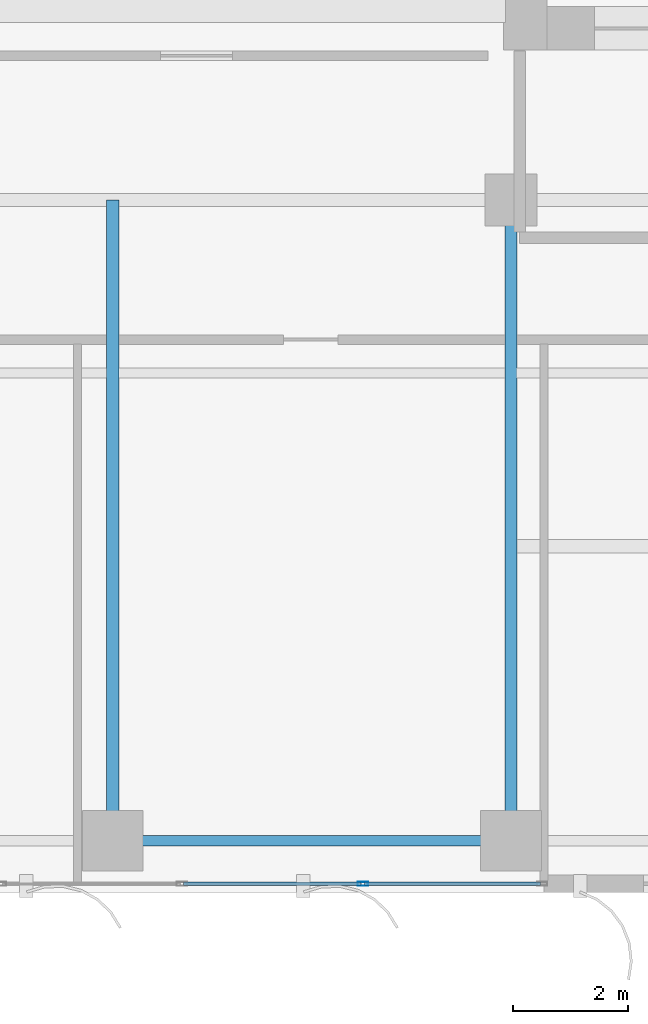
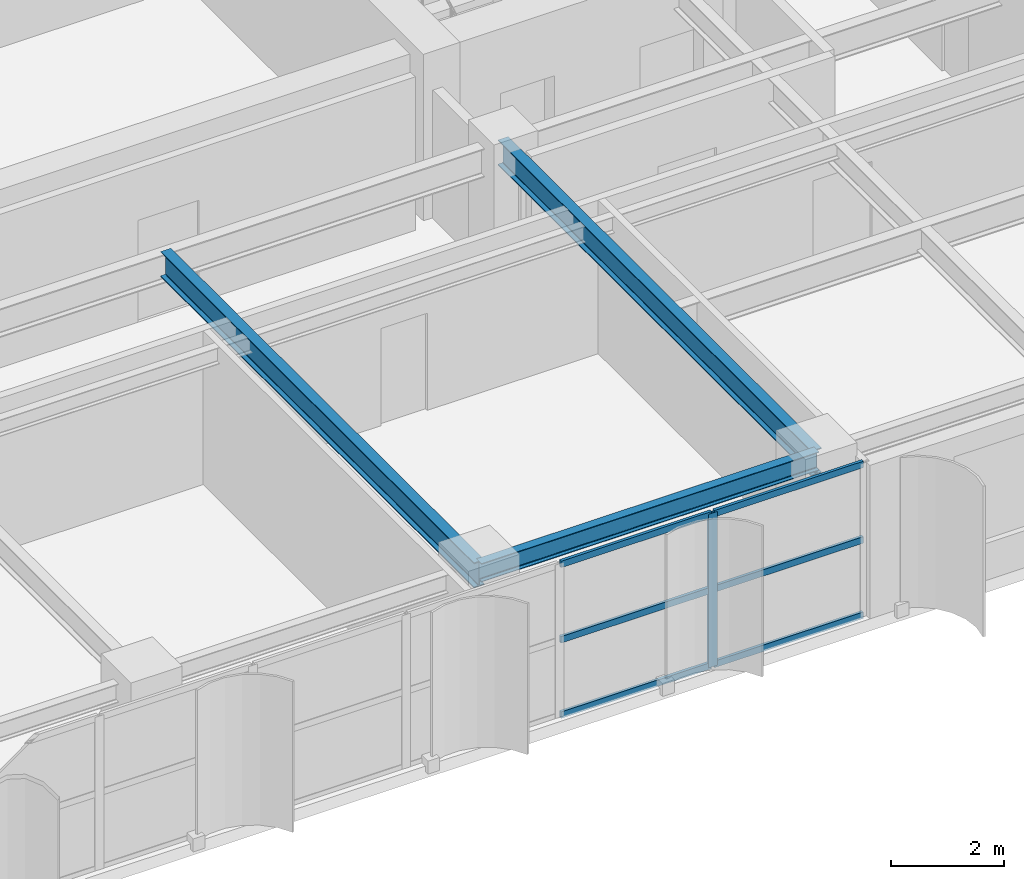
# One storey, part 5 of 22: 7 members, 3 beams, 1 element without a shape of its own.
"""IFC4 building model written with IfcOpenShell, lengths in metres."""

from ifc_helpers import new_model, si_unit, direction, frame, origin, origin_2d, place, context, subcontext, project, spatial, hollow_rectangle, i_section, extrude, source, transform, mapped, material, layer, layer_set, material_profile, profile_set, type_object, element, aggregate, save


model = new_model("IFC4")

# Units and contexts
model_context = context("Model", 3, precision=1e-05, world=origin(), true_north=direction((0.0, 1.0)))
body_context = subcontext(model_context, "Body", "Model", "MODEL_VIEW")
ifc_project = project(units=[si_unit("LENGTHUNIT", "METRE"), si_unit("AREAUNIT", "SQUARE_METRE"), si_unit("VOLUMEUNIT", "CUBIC_METRE"), si_unit("PLANEANGLEUNIT", "RADIAN"), si_unit("MASSUNIT", "GRAM", prefix="KILO")], contexts=[model_context])

# Site, building, storey
site_placement = place(None, origin())
site = spatial("IfcSite", under=ifc_project, at=site_placement, CompositionType="ELEMENT")
building_placement = place(site_placement, origin())
building = spatial("IfcBuilding", under=site, at=building_placement, Name="Khoralis Quay Care Tower", CompositionType="ELEMENT")
storey_placement = place(building_placement, frame((0.0, 0.0, 141.300048828125)))
storey = spatial("IfcBuildingStorey", under=building, at=storey_placement, Name="L37", CompositionType="ELEMENT", Elevation=141.300048828125)

# Beams
ifc_material_1 = material(Name="Steel S355", Category="steel")
ifc_material_profile_1 = material_profile(ifc_material_1, i_section(OverallWidth=0.179931640625, OverallDepth=0.39990234375, WebThickness=0.008544921875, FlangeThickness=0.013427734375, FilletRadius=0.02099609375, at=origin_2d()), Name="Steel S355")
ifc_profile_set_1 = profile_set([ifc_material_profile_1], Name="Steel S355")
beam_type_1 = type_object("IfcBeamType", Name="BM-IPE400", PredefinedType="SPANDREL", material=ifc_profile_set_1)
shared_shape_1 = source(origin(), body_context, "Body", "SweptSolid", [
    extrude(i_section(OverallWidth=0.179931640625, OverallDepth=0.39990234375, WebThickness=0.008544921875, FlangeThickness=0.013427734375, FilletRadius=0.02099609375, at=origin_2d()), origin(), (0.0, 0.0, 1.0), 6.89990234375),
])
beam_placement = place(storey_placement, frame((24.0, 0.89990234375, 3.119873046875), z_axis=(1.0, 0.0, 0.0), x_axis=(0.0, 1.0, 0.0)))
element("IfcBeam", 1, at=beam_placement, inside=storey, type_object=beam_type_1, Name="BM-TSP-L37-04", PredefinedType="SPANDREL", context=body_context, shape_type="MappedRepresentation", body=[
    mapped(shared_shape_1, transform((0.0, 0.0, 0.0), scale=1.0)),
])
ifc_material_profile_2 = material_profile(ifc_material_1, i_section(OverallWidth=0.2119140625, OverallDepth=0.5439453125, WebThickness=0.01318359375, FlangeThickness=0.021240234375, FilletRadius=0.01611328125, at=origin_2d()), Name="Steel S355")
ifc_profile_set_2 = profile_set([ifc_material_profile_2], Name="Steel S355")
beam_type_2 = type_object("IfcBeamType", Name="BM-W530X123", PredefinedType="BEAM", material=ifc_profile_set_2)
shared_shape_2 = source(origin(), body_context, "Body", "SweptSolid", [
    extrude(i_section(OverallWidth=0.2119140625, OverallDepth=0.5439453125, WebThickness=0.01318359375, FlangeThickness=0.021240234375, FilletRadius=0.01611328125, at=origin_2d()), origin(), (0.0, 0.0, 1.0), 11.10009765625),
])
for number, where, z_axis, x_axis, name in (
    (2, (24.0, 0.89990234375, 3.0478515625), (0.0, 1.0, 0.0), (-1.0, 0.0, 0.0), "BM-TGYS-L37-240"),
    (3, (30.89990234375, 0.89990234375, 3.0478515625), (0.0, 1.0, 0.0), (-1.0, 0.0, 0.0), "BM-TGYS-L37-309"),
):
    element("IfcBeam", number, at=place(storey_placement, frame(where, z_axis=z_axis, x_axis=x_axis)), inside=storey, type_object=beam_type_2, Name=name, PredefinedType="BEAM", context=body_context, shape_type="MappedRepresentation", body=[
        mapped(shared_shape_2, transform((0.0, 0.0, 0.0), scale=1.0)),
    ])

# Curtain wall, members
ifc_material_2 = material(Name="Pale anodised aluminium", Category="aluminium")
ifc_layer = layer(ifc_material_2, 0.169921875)
ifc_layer_set = layer_set([ifc_layer], Name="Pale anodised aluminium")
curtain_wall_type = type_object("IfcCurtainWallType", Name="CW-SYS-Z2", PredefinedType="NOTDEFINED", material=ifc_layer_set)
curtain_wall_placement = place(storey_placement, origin())
curtain_wall = element("IfcCurtainWall", 4, at=curtain_wall_placement, inside=storey, type_object=curtain_wall_type, Name="L37 Unitised Curtain Wall CW-L37-P1-E0", PredefinedType="NOTDEFINED")
ifc_material_profile_3 = material_profile(ifc_material_2, hollow_rectangle(XDim=0.06494140625, YDim=0.179931640625, WallThickness=0.00390625, at=origin_2d()), Name="Pale anodised aluminium")
ifc_profile_set_3 = profile_set([ifc_material_profile_3], Name="Pale anodised aluminium")
member_type_1 = type_object("IfcMemberType", Name="CW-MUL-180", PredefinedType="MULLION", material=ifc_profile_set_3)
shared_shape_3 = source(origin(), body_context, "Body", "SweptSolid", [
    extrude(hollow_rectangle(XDim=0.06494140625, YDim=0.179931640625, WallThickness=0.00390625, at=origin_2d()), origin(), (0.0, 0.0, 1.0), 3.320068359375),
])
member_1_placement = place(storey_placement, frame((28.333251953125, 0.14990234375, 0.0), z_axis=(0.0, 0.0, 1.0), x_axis=(0.0, 1.0, 0.0)))
member_1 = element("IfcMember", 5, at=member_1_placement, type_object=member_type_1, Name="CW2 mullion 6", PredefinedType="MULLION", context=body_context, shape_type="MappedRepresentation", body=[
    mapped(shared_shape_3, transform((0.0, 0.0, 0.0), scale=1.0)),
])
ifc_material_profile_4 = material_profile(ifc_material_2, hollow_rectangle(XDim=0.06005859375, YDim=0.139892578125, WallThickness=0.00390625, at=origin_2d()), Name="Pale anodised aluminium")
ifc_profile_set_4 = profile_set([ifc_material_profile_4], Name="Pale anodised aluminium")
member_type_2 = type_object("IfcMemberType", Name="CW-TRN-140", PredefinedType="USERDEFINED", material=ifc_profile_set_4)
shared_shape_4 = source(origin(), body_context, "Body", "SweptSolid", [
    extrude(hollow_rectangle(XDim=0.06005859375, YDim=0.139892578125, WallThickness=0.00390625, at=origin_2d()), origin(), (0.0, 0.0, 1.0), 3.046630859375),
])
member_2_placement = place(storey_placement, frame((28.36328125, 0.14990234375, 0.030029296875), z_axis=(1.0, 0.0, 0.0), x_axis=(0.0, 1.0, 0.0)))
member_2 = element("IfcMember", 6, at=member_2_placement, type_object=member_type_2, Name="CW2 transom 6.1", ObjectType="TRANSOM", PredefinedType="USERDEFINED", context=body_context, shape_type="MappedRepresentation", body=[
    mapped(shared_shape_4, transform((0.0, 0.0, 0.0), scale=1.0)),
])
member_3_placement = place(storey_placement, frame((28.36328125, 0.14990234375, 1.659912109375), z_axis=(1.0, 0.0, 0.0), x_axis=(0.0, 1.0, 0.0)))
member_3 = element("IfcMember", 7, at=member_3_placement, type_object=member_type_2, Name="CW2 transom 6.2", ObjectType="TRANSOM", PredefinedType="USERDEFINED", context=body_context, shape_type="MappedRepresentation", body=[
    mapped(shared_shape_4, transform((0.0, 0.0, 0.0), scale=1.0)),
])
member_4_placement = place(storey_placement, frame((28.36328125, 0.14990234375, 3.2900390625), z_axis=(1.0, 0.0, 0.0), x_axis=(0.0, 1.0, 0.0)))
member_4 = element("IfcMember", 8, at=member_4_placement, type_object=member_type_2, Name="CW2 transom 6.3", ObjectType="TRANSOM", PredefinedType="USERDEFINED", context=body_context, shape_type="MappedRepresentation", body=[
    mapped(shared_shape_4, transform((0.0, 0.0, 0.0), scale=1.0)),
])
shared_shape_5 = source(origin(), body_context, "Body", "SweptSolid", [
    extrude(hollow_rectangle(XDim=0.06005859375, YDim=0.139892578125, WallThickness=0.00390625, at=origin_2d()), origin(), (0.0, 0.0, 1.0), 3.07666015625),
])
member_5_placement = place(storey_placement, frame((25.2265625, 0.14990234375, 0.030029296875), z_axis=(1.0, 0.0, 0.0), x_axis=(0.0, 1.0, 0.0)))
member_5 = element("IfcMember", 9, at=member_5_placement, type_object=member_type_2, Name="CW2 transom 5.1", ObjectType="TRANSOM", PredefinedType="USERDEFINED", context=body_context, shape_type="MappedRepresentation", body=[
    mapped(shared_shape_5, transform((0.0, 0.0, 0.0), scale=1.0)),
])
member_6_placement = place(storey_placement, frame((25.2265625, 0.14990234375, 1.659912109375), z_axis=(1.0, 0.0, 0.0), x_axis=(0.0, 1.0, 0.0)))
member_6 = element("IfcMember", 10, at=member_6_placement, type_object=member_type_2, Name="CW2 transom 5.2", ObjectType="TRANSOM", PredefinedType="USERDEFINED", context=body_context, shape_type="MappedRepresentation", body=[
    mapped(shared_shape_5, transform((0.0, 0.0, 0.0), scale=1.0)),
])
member_7_placement = place(storey_placement, frame((25.2265625, 0.14990234375, 3.2900390625), z_axis=(1.0, 0.0, 0.0), x_axis=(0.0, 1.0, 0.0)))
member_7 = element("IfcMember", 11, at=member_7_placement, type_object=member_type_2, Name="CW2 transom 5.3", ObjectType="TRANSOM", PredefinedType="USERDEFINED", context=body_context, shape_type="MappedRepresentation", body=[
    mapped(shared_shape_5, transform((0.0, 0.0, 0.0), scale=1.0)),
])
aggregate(curtain_wall, [member_1, member_5, member_6, member_7, member_2, member_3, member_4])

save(model, "model.ifc")
